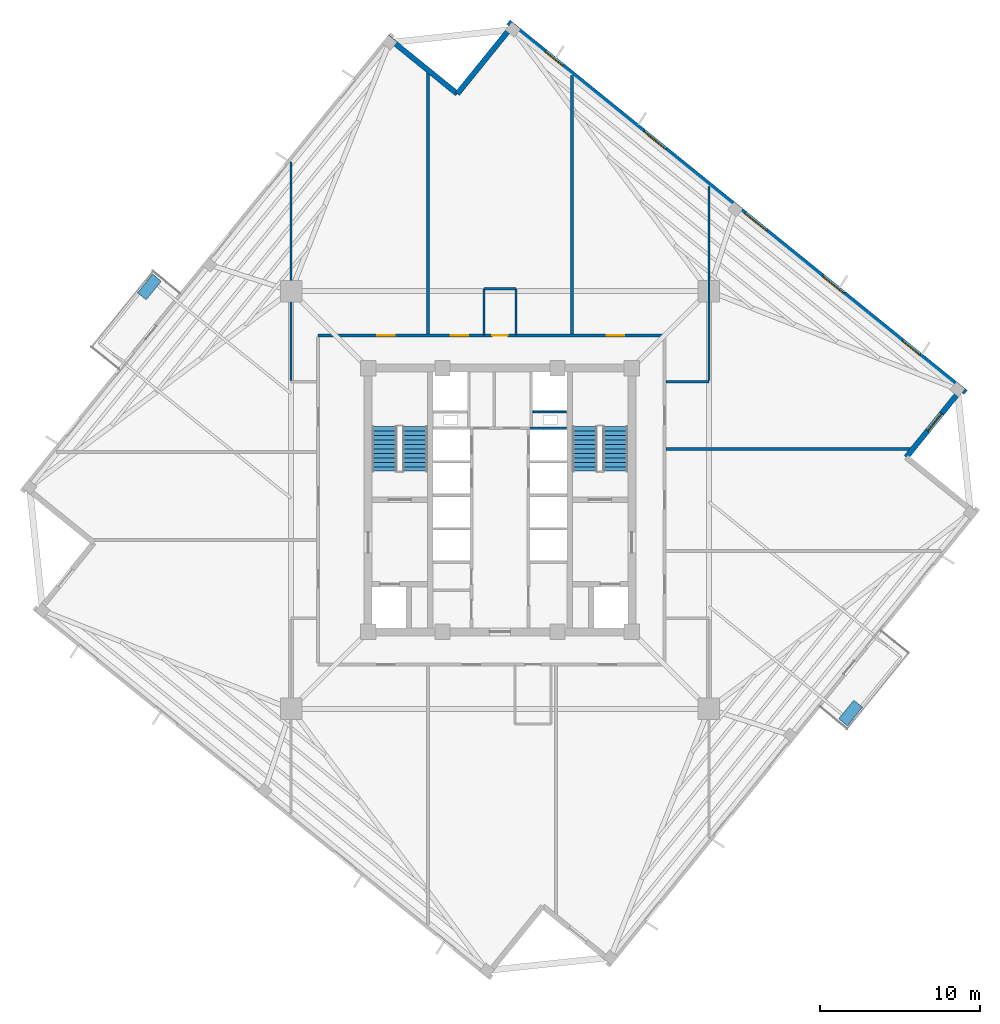
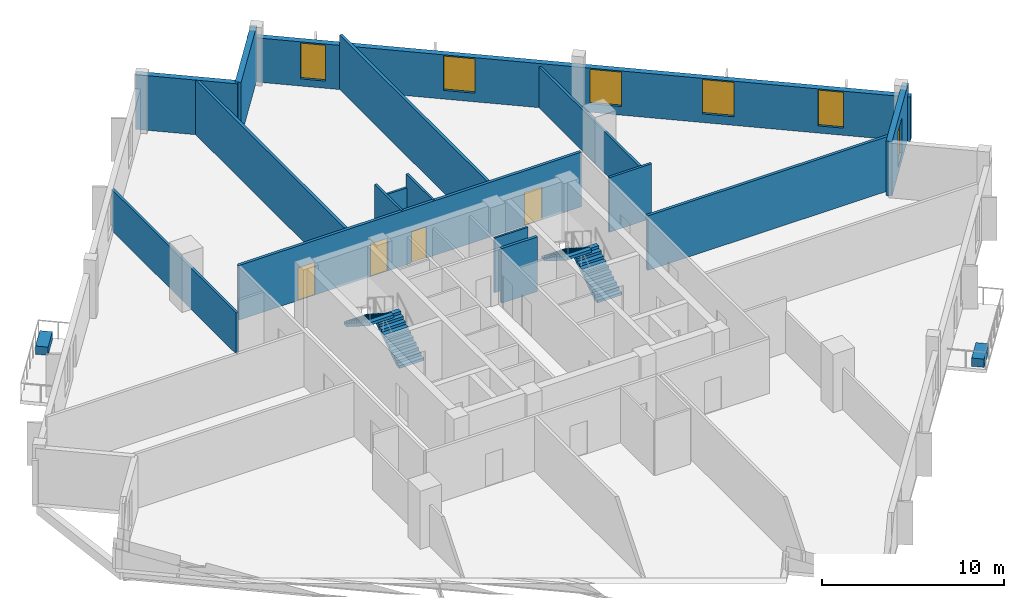
# One storey, part 5 of 9: 16 walls, 6 windows, 4 doors, 4 stair flights, 2 discrete accessories, 10 openings, 2 elements without a shape of their own.
"""IFC4 building model written with IfcOpenShell, lengths in metres."""

from ifc_helpers import new_model, si_unit, direction, frame, frame_2d, origin, origin_2d, place, context, subcontext, project, spatial, polyline, rectangle, outline, extrude, source, transform, mapped, material, layer, layer_set, type_object, element, fill, aggregate, save


model = new_model("IFC4")

# Units and contexts
model_context = context("Model", 3, precision=1e-05, world=origin(), true_north=direction((0.0, 1.0)))
body_context = subcontext(model_context, "Body", "Model", "MODEL_VIEW")
ifc_project = project(units=[si_unit("LENGTHUNIT", "METRE"), si_unit("AREAUNIT", "SQUARE_METRE"), si_unit("VOLUMEUNIT", "CUBIC_METRE"), si_unit("PLANEANGLEUNIT", "RADIAN"), si_unit("MASSUNIT", "GRAM", prefix="KILO"), si_unit("THERMODYNAMICTEMPERATUREUNIT", "KELVIN")], contexts=[model_context])

# Site, building, storey
site_placement = place(None, origin())
site = spatial("IfcSite", under=ifc_project, at=site_placement, CompositionType="ELEMENT")
building_placement = place(site_placement, origin())
building = spatial("IfcBuilding", under=site, at=building_placement, Name="Kosmvard Interchange Tower", CompositionType="ELEMENT")
storey_placement = place(building_placement, frame((0.0, 0.0, 232.89990234375)))
storey = spatial("IfcBuildingStorey", under=building, at=storey_placement, Name="L56", CompositionType="ELEMENT", Elevation=232.89990234375)

# Walls
ifc_material_1 = material(Name="Acoustic gypsum partition system")
ifc_layer_1 = layer(ifc_material_1, 0.14990234375, Name="Acoustic gypsum partition system")
ifc_layer_set_1 = layer_set([ifc_layer_1], Name="Acoustic gypsum partition system")
wall_type_1 = type_object("IfcWallType", Name="Acoustic Suite & Meeting Partition 150", PredefinedType="PARTITIONING", material=ifc_layer_set_1)
wall_1_placement = place(storey_placement, frame((-13.0810546875, 7.47509765625, 0.0), z_axis=(0.0, 0.0, 1.0), x_axis=(0.0, 1.0, 0.0)))
element("IfcWall", 1, at=wall_1_placement, inside=storey, type_object=wall_type_1, Name="L56 Room Partition 10.1", PredefinedType="PARTITIONING", context=body_context, shape_type="SweptSolid", body=[
    extrude(rectangle(XDim=13.67333984375, YDim=0.14990234375, at=frame_2d((6.836669921875, 0.0))), origin(), (0.0, 0.0, 1.0), 2.760009765625),
])
wall_2_placement = place(storey_placement, frame((10.39501953125, 7.39990234375, 0.0), z_axis=(0.0, 0.0, 1.0), x_axis=(1.0, 0.0, 0.0)))
element("IfcWall", 2, at=wall_2_placement, inside=storey, type_object=wall_type_1, Name="L56 Room Partition 11.1", PredefinedType="PARTITIONING", context=body_context, shape_type="SweptSolid", body=[
    extrude(rectangle(XDim=2.68603515625, YDim=0.14990234375, at=frame_2d((1.343017578125, 0.0))), origin(), (0.0, 0.0, 1.0), 3.66015625),
])
wall_3_placement = place(storey_placement, frame((13.0810546875, 7.47509765625, 0.0), z_axis=(0.0, 0.0, 1.0), x_axis=(0.0, 1.0, 0.0)))
element("IfcWall", 3, at=wall_3_placement, inside=storey, type_object=wall_type_1, Name="L56 Room Partition 12.1", PredefinedType="PARTITIONING", context=body_context, shape_type="SweptSolid", body=[
    extrude(rectangle(XDim=12.138916015625, YDim=0.14990234375, at=frame_2d((6.0693359375, 0.0))), origin(), (0.0, 0.0, 1.0), 2.760009765625),
])

# Wall, openings, doors
ifc_material_2 = material(Name="Fire-rated gypsum partition system")
ifc_layer_2 = layer(ifc_material_2, 0.179931640625, Name="Fire-rated gypsum partition system")
ifc_layer_set_2 = layer_set([ifc_layer_2], Name="Fire-rated gypsum partition system")
wall_type_2 = type_object("IfcWallType", Name="Corridor & Hotel Compartment Partition 180", PredefinedType="PARTITIONING", material=ifc_layer_set_2)
wall_4_placement = place(storey_placement, frame((-11.39990234375, 10.300048828125, 0.0), z_axis=(0.0, 0.0, 1.0), x_axis=(1.0, 0.0, 0.0)))
wall_4 = element("IfcWall", 4, at=wall_4_placement, inside=storey, type_object=wall_type_2, Name="L56 Corridor Wall CN", PredefinedType="PARTITIONING", context=body_context, shape_type="SweptSolid", body=[
    extrude(rectangle(XDim=21.699951171875, YDim=0.179931640625, at=frame_2d((10.85009765625, 0.0))), origin(), (0.0, 0.0, 1.0), 3.66015625),
])
opening_1_placement = place(wall_4_placement, frame((10.925048828125, 0.0, 0.0)))
opening_1 = element("IfcOpeningElement", 5, at=opening_1_placement, cuts=wall_4, Name="Opening L56-D01", PredefinedType="OPENING", context=body_context, shape_type="SweptSolid", body=[
    extrude(rectangle(XDim=0.949951171875, YDim=2.10009765625, at=frame_2d((0.47509765625, 1.050048828125))), frame((0.0, 0.10009765625, 0.0), z_axis=(0.0, -1.0, 0.0), x_axis=(1.0, 0.0, 0.0)), (0.0, 0.0, 1.0), 0.199951171875),
])
opening_2_placement = place(wall_4_placement, frame((3.724365234375, 0.0, 0.0)))
opening_2 = element("IfcOpeningElement", 6, at=opening_2_placement, cuts=wall_4, Name="Opening L56-D04", PredefinedType="OPENING", context=body_context, shape_type="SweptSolid", body=[
    extrude(rectangle(XDim=1.10009765625, YDim=2.199951171875, at=frame_2d((0.550048828125, 1.10009765625))), frame((0.0, 0.10009765625, 0.0), z_axis=(0.0, -1.0, 0.0), x_axis=(1.0, 0.0, 0.0)), (0.0, 0.0, 1.0), 0.199951171875),
])
opening_3_placement = place(wall_4_placement, frame((8.325927734375, 0.0, 0.0)))
opening_3 = element("IfcOpeningElement", 7, at=opening_3_placement, cuts=wall_4, Name="Opening L56-D05", PredefinedType="OPENING", context=body_context, shape_type="SweptSolid", body=[
    extrude(rectangle(XDim=1.10009765625, YDim=2.199951171875, at=frame_2d((0.550048828125, 1.10009765625))), frame((0.0, 0.10009765625, 0.0), z_axis=(0.0, -1.0, 0.0), x_axis=(1.0, 0.0, 0.0)), (0.0, 0.0, 1.0), 0.199951171875),
])
opening_4_placement = place(wall_4_placement, frame((18.08544921875, 0.0, 0.0)))
opening_4 = element("IfcOpeningElement", 8, at=opening_4_placement, cuts=wall_4, Name="Opening L56-D06", PredefinedType="OPENING", context=body_context, shape_type="SweptSolid", body=[
    extrude(rectangle(XDim=1.10009765625, YDim=2.199951171875, at=frame_2d((0.550048828125, 1.10009765625))), frame((0.0, 0.10009765625, 0.0), z_axis=(0.0, -1.0, 0.0), x_axis=(1.0, 0.0, 0.0)), (0.0, 0.0, 1.0), 0.199951171875),
])
ifc_material_3 = material(Name="Laminated moisture-resistant timber", Category="wood")
door_type_1 = type_object("IfcDoorType", Name="Accessible Washroom Door 950x2100", OperationType="NOTDEFINED", PredefinedType="DOOR", material=ifc_material_3)
shared_shape_1 = source(origin(), body_context, "Body", "SweptSolid", [
    extrude(rectangle(XDim=0.949951171875, YDim=2.10009765625, at=frame_2d((0.47509765625, 1.050048828125))), frame((0.0, 0.02490234375, 0.0), z_axis=(0.0, -1.0, 0.0), x_axis=(1.0, 0.0, 0.0)), (0.0, 0.0, 1.0), 0.050048828125),
])
door_1_placement = place(opening_1_placement, origin())
door_1 = element("IfcDoor", 9, at=door_1_placement, inside=storey, type_object=door_type_1, Name="L56 Accessible Toilet Door", OperationType="SINGLE_SWING_LEFT", OverallHeight=2.10009765625, OverallWidth=0.949951171875, PredefinedType="DOOR", context=body_context, shape_type="MappedRepresentation", body=[
    mapped(shared_shape_1, transform((0.0, 0.0, 0.0), scale=1.0)),
])
fill(opening_1, door_1)
ifc_material_4 = material(Name="Engineered oak fire-rated timber", Category="wood")
door_type_2 = type_object("IfcDoorType", Name="Office Suite Entrance Door 1100x2200 FD30S", OperationType="NOTDEFINED", PredefinedType="DOOR", material=ifc_material_4)
shared_shape_2 = source(origin(), body_context, "Body", "SweptSolid", [
    extrude(rectangle(XDim=1.10009765625, YDim=2.199951171875, at=frame_2d((0.550048828125, 1.10009765625))), frame((0.0, 0.02490234375, 0.0), z_axis=(0.0, -1.0, 0.0), x_axis=(1.0, 0.0, 0.0)), (0.0, 0.0, 1.0), 0.050048828125),
])
door_2_placement = place(opening_2_placement, origin())
door_2 = element("IfcDoor", 10, at=door_2_placement, inside=storey, type_object=door_type_2, Name="L56 North Horizon Boardroom Door", OperationType="SINGLE_SWING_RIGHT", OverallHeight=2.199951171875, OverallWidth=1.10009765625, PredefinedType="DOOR", context=body_context, shape_type="MappedRepresentation", body=[
    mapped(shared_shape_2, transform((0.0, 0.0, 0.0), scale=1.0)),
])
fill(opening_2, door_2)
door_3_placement = place(opening_3_placement, origin())
door_3 = element("IfcDoor", 11, at=door_3_placement, inside=storey, type_object=door_type_2, Name="L56 North-East Corner Office Door", OperationType="SINGLE_SWING_LEFT", OverallHeight=2.199951171875, OverallWidth=1.10009765625, PredefinedType="DOOR", context=body_context, shape_type="MappedRepresentation", body=[
    mapped(shared_shape_2, transform((0.0, 0.0, 0.0), scale=1.0)),
])
fill(opening_3, door_3)
door_4_placement = place(opening_4_placement, origin())
door_4 = element("IfcDoor", 12, at=door_4_placement, inside=storey, type_object=door_type_2, Name="L56 East Executive Office 3 Door", OperationType="SINGLE_SWING_RIGHT", OverallHeight=2.199951171875, OverallWidth=1.10009765625, PredefinedType="DOOR", context=body_context, shape_type="MappedRepresentation", body=[
    mapped(shared_shape_2, transform((0.0, 0.0, 0.0), scale=1.0)),
])
fill(opening_4, door_4)

# Walls
wall_5_placement = place(storey_placement, frame((-4.5, 10.39501953125, 0.0), z_axis=(0.0, 0.0, 1.0), x_axis=(0.0, 1.0, 0.0)))
element("IfcWall", 13, at=wall_5_placement, inside=storey, type_object=wall_type_2, Name="L56 Room Partition 01.1", PredefinedType="PARTITIONING", context=body_context, shape_type="SweptSolid", body=[
    extrude(rectangle(XDim=16.37841796875, YDim=0.179931640625, at=frame_2d((8.189208984375, 0.0))), origin(), (0.0, 0.0, 1.0), 3.66015625),
])
wall_6_placement = place(storey_placement, frame((4.5, 10.39501953125, 0.0), z_axis=(0.0, 0.0, 1.0), x_axis=(0.0, 1.0, 0.0)))
element("IfcWall", 14, at=wall_6_placement, inside=storey, type_object=wall_type_2, Name="L56 Room Partition 02.1", PredefinedType="PARTITIONING", context=body_context, shape_type="SweptSolid", body=[
    extrude(rectangle(XDim=16.167724609375, YDim=0.179931640625, at=frame_2d((8.083984375, 0.0))), origin(), (0.0, 0.0, 1.0), 3.66015625),
])
wall_7_placement = place(storey_placement, frame((10.39501953125, 3.199951171875, 0.0), z_axis=(0.0, 0.0, 1.0), x_axis=(1.0, 0.0, 0.0)))
element("IfcWall", 15, at=wall_7_placement, inside=storey, type_object=wall_type_2, Name="L56 Room Partition 03.1", PredefinedType="PARTITIONING", context=body_context, shape_type="SweptSolid", body=[
    extrude(rectangle(XDim=15.32568359375, YDim=0.179931640625, at=frame_2d((7.662841796875, 0.0))), origin(), (0.0, 0.0, 1.0), 3.66015625),
])

# Wall, opening, window
ifc_material_5 = material(Name="Precast concrete C45/55", Category="concrete")
ifc_layer_3 = layer(ifc_material_5, 0.340087890625, Name="Precast concrete C45/55")
ifc_layer_set_3 = layer_set([ifc_layer_3], Name="Precast concrete C45/55")
wall_type_3 = type_object("IfcWallType", Name="Mid Tower Precast Pier Wall 340 C45/55", PredefinedType="STANDARD", material=ifc_layer_set_3)
wall_8_placement = place(storey_placement, frame((25.428955078125, 2.672607421875, 0.0), z_axis=(0.0, 0.0, 1.0), x_axis=(0.629299794138, 0.777162640055, 0.0)))
wall_8 = element("IfcWall", 16, at=wall_8_placement, inside=storey, type_object=wall_type_3, Name="L56 Precast Facade Wall N-SE2", PredefinedType="STANDARD", context=body_context, shape_type="SweptSolid", body=[
    extrude(rectangle(XDim=5.669921875, YDim=0.340087890625, at=frame_2d((2.8349609375, 0.0))), origin(), (0.0, 0.0, 1.0), 3.66015625),
])
opening_5_placement = place(wall_8_placement, frame((2.135009765625, 0.0, 0.47998046875)))
opening_5 = element("IfcOpeningElement", 17, at=opening_5_placement, cuts=wall_8, Name="Opening L56-W21", PredefinedType="OPENING", context=body_context, shape_type="SweptSolid", body=[
    extrude(rectangle(XDim=1.39990234375, YDim=2.39990234375, at=frame_2d((0.699951171875, 1.199951171875))), frame((0.0, 0.18017578125, 0.0), z_axis=(0.0, -1.0, 0.0), x_axis=(1.0, 0.0, 0.0)), (0.0, 0.0, 1.0), 0.360107421875),
])
ifc_material_6 = material(Name="Low-E solar-control double glazing", Category="glass")
window_type_1 = type_object("IfcWindowType", Name="Notched Corner Feature Window 1400x2400", PartitioningType="SINGLE_PANEL", PredefinedType="WINDOW", material=ifc_material_6)
shared_shape_3 = source(origin(), body_context, "Body", "SweptSolid", [
    extrude(rectangle(XDim=1.39990234375, YDim=2.39990234375, at=frame_2d((0.699951171875, 1.199951171875))), frame((0.0, 0.030029296875, 0.0), z_axis=(0.0, -1.0, 0.0), x_axis=(1.0, 0.0, 0.0)), (0.0, 0.0, 1.0), 0.06005859375),
])
window_1_placement = place(opening_5_placement, origin())
window_1 = element("IfcWindow", 18, at=window_1_placement, inside=storey, type_object=window_type_1, Name="L56 Corner Notch Window 21", OverallHeight=2.39990234375, OverallWidth=1.39990234375, PartitioningType="SINGLE_PANEL", PredefinedType="WINDOW", context=body_context, shape_type="MappedRepresentation", body=[
    mapped(shared_shape_3, transform((0.0, 0.0, 0.0), scale=1.0)),
])
fill(opening_5, window_1)

# Wall, openings, windows
wall_9_placement = place(storey_placement, frame((29.154296875, 6.73291015625, 0.0), z_axis=(0.0, 0.0, 1.0), x_axis=(-0.77714192302, 0.629325378072, 0.0)))
wall_9 = element("IfcWall", 19, at=wall_9_placement, inside=storey, type_object=wall_type_3, Name="L56 Precast Facade Wall F-E", PredefinedType="STANDARD", context=body_context, shape_type="SweptSolid", body=[
    extrude(rectangle(XDim=36.840087890625, YDim=0.340087890625, at=frame_2d((18.419921875, 0.0))), origin(), (0.0, 0.0, 1.0), 2.960205078125),
])
opening_6_placement = place(wall_9_placement, frame((3.720703125, 0.0, 0.47998046875)))
opening_6 = element("IfcOpeningElement", 20, at=opening_6_placement, cuts=wall_9, Name="Opening L56-W06", PredefinedType="OPENING", context=body_context, shape_type="SweptSolid", body=[
    extrude(rectangle(XDim=1.39990234375, YDim=2.39990234375, at=frame_2d((0.699951171875, 1.199951171875))), frame((0.0, 0.18017578125, 0.0), z_axis=(0.0, -1.0, 0.0), x_axis=(1.0, 0.0, 0.0)), (0.0, 0.0, 1.0), 0.360107421875),
])
opening_7_placement = place(wall_9_placement, frame((9.80859375, 0.0, 0.580078125)))
opening_7 = element("IfcOpeningElement", 21, at=opening_7_placement, cuts=wall_9, Name="Opening L56-W07", PredefinedType="OPENING", context=body_context, shape_type="SweptSolid", body=[
    extrude(rectangle(XDim=1.75, YDim=2.300048828125, at=frame_2d((0.875, 1.14990234375))), frame((0.0, 0.18017578125, 0.0), z_axis=(0.0, -1.0, 0.0), x_axis=(1.0, 0.0, 0.0)), (0.0, 0.0, 1.0), 0.360107421875),
])
opening_8_placement = place(wall_9_placement, frame((16.05810546875, 0.0, 0.580078125)))
opening_8 = element("IfcOpeningElement", 22, at=opening_8_placement, cuts=wall_9, Name="Opening L56-W08", PredefinedType="OPENING", context=body_context, shape_type="SweptSolid", body=[
    extrude(rectangle(XDim=1.75, YDim=2.300048828125, at=frame_2d((0.875, 1.14990234375))), frame((0.0, 0.18017578125, 0.0), z_axis=(0.0, -1.0, 0.0), x_axis=(1.0, 0.0, 0.0)), (0.0, 0.0, 1.0), 0.360107421875),
])
opening_9_placement = place(wall_9_placement, frame((24.17626953125, 0.0, 0.580078125)))
opening_9 = element("IfcOpeningElement", 23, at=opening_9_placement, cuts=wall_9, Name="Opening L56-W09", PredefinedType="OPENING", context=body_context, shape_type="SweptSolid", body=[
    extrude(rectangle(XDim=1.75, YDim=2.300048828125, at=frame_2d((0.875, 1.14990234375))), frame((0.0, 0.18017578125, 0.0), z_axis=(0.0, -1.0, 0.0), x_axis=(1.0, 0.0, 0.0)), (0.0, 0.0, 1.0), 0.360107421875),
])
opening_10_placement = place(wall_9_placement, frame((32.482421875, 0.0, 0.47998046875)))
opening_10 = element("IfcOpeningElement", 24, at=opening_10_placement, cuts=wall_9, Name="Opening L56-W10", PredefinedType="OPENING", context=body_context, shape_type="SweptSolid", body=[
    extrude(rectangle(XDim=1.39990234375, YDim=2.39990234375, at=frame_2d((0.699951171875, 1.199951171875))), frame((0.0, 0.18017578125, 0.0), z_axis=(0.0, -1.0, 0.0), x_axis=(1.0, 0.0, 0.0)), (0.0, 0.0, 1.0), 0.360107421875),
])
window_2_placement = place(opening_6_placement, origin())
window_2 = element("IfcWindow", 25, at=window_2_placement, inside=storey, type_object=window_type_1, Name="L56 Facade Punched Window 06", OverallHeight=2.39990234375, OverallWidth=1.39990234375, PartitioningType="SINGLE_PANEL", PredefinedType="WINDOW", context=body_context, shape_type="MappedRepresentation", body=[
    mapped(shared_shape_3, transform((0.0, 0.0, 0.0), scale=1.0)),
])
fill(opening_6, window_2)
window_3_placement = place(opening_10_placement, origin())
window_3 = element("IfcWindow", 26, at=window_3_placement, inside=storey, type_object=window_type_1, Name="L56 Facade Punched Window 10", OverallHeight=2.39990234375, OverallWidth=1.39990234375, PartitioningType="SINGLE_PANEL", PredefinedType="WINDOW", context=body_context, shape_type="MappedRepresentation", body=[
    mapped(shared_shape_3, transform((0.0, 0.0, 0.0), scale=1.0)),
])
fill(opening_10, window_3)
window_type_2 = type_object("IfcWindowType", Name="Zone 4 Suite Punched Window 1750x2300", PartitioningType="SINGLE_PANEL", PredefinedType="WINDOW", material=ifc_material_6)
shared_shape_4 = source(origin(), body_context, "Body", "SweptSolid", [
    extrude(rectangle(XDim=1.75, YDim=2.300048828125, at=frame_2d((0.875, 1.14990234375))), frame((0.0, 0.030029296875, 0.0), z_axis=(0.0, -1.0, 0.0), x_axis=(1.0, 0.0, 0.0)), (0.0, 0.0, 1.0), 0.06005859375),
])
window_4_placement = place(opening_7_placement, origin())
window_4 = element("IfcWindow", 27, at=window_4_placement, inside=storey, type_object=window_type_2, Name="L56 Facade Punched Window 07", OverallHeight=2.300048828125, OverallWidth=1.75, PartitioningType="SINGLE_PANEL", PredefinedType="WINDOW", context=body_context, shape_type="MappedRepresentation", body=[
    mapped(shared_shape_4, transform((0.0, 0.0, 0.0), scale=1.0)),
])
fill(opening_7, window_4)
window_5_placement = place(opening_8_placement, origin())
window_5 = element("IfcWindow", 28, at=window_5_placement, inside=storey, type_object=window_type_2, Name="L56 Facade Punched Window 08", OverallHeight=2.300048828125, OverallWidth=1.75, PartitioningType="SINGLE_PANEL", PredefinedType="WINDOW", context=body_context, shape_type="MappedRepresentation", body=[
    mapped(shared_shape_4, transform((0.0, 0.0, 0.0), scale=1.0)),
])
fill(opening_8, window_5)
window_6_placement = place(opening_9_placement, origin())
window_6 = element("IfcWindow", 29, at=window_6_placement, inside=storey, type_object=window_type_2, Name="L56 Facade Punched Window 09", OverallHeight=2.300048828125, OverallWidth=1.75, PartitioningType="SINGLE_PANEL", PredefinedType="WINDOW", context=body_context, shape_type="MappedRepresentation", body=[
    mapped(shared_shape_4, transform((0.0, 0.0, 0.0), scale=1.0)),
])
fill(opening_9, window_6)

# Walls
wall_10_placement = place(storey_placement, frame((0.78857421875, 29.703125, 0.0), z_axis=(0.0, 0.0, 1.0), x_axis=(-0.629323365087, -0.77714355312, 0.0)))
element("IfcWall", 30, at=wall_10_placement, inside=storey, type_object=wall_type_3, Name="L56 Precast Facade Wall N-NE1", PredefinedType="STANDARD", context=body_context, shape_type="SweptSolid", body=[
    extrude(rectangle(XDim=5.499755859375, YDim=0.340087890625, at=frame_2d((2.75, 0.0))), origin(), (0.0, 0.0, 1.0), 3.66015625),
])
wall_11_placement = place(storey_placement, frame((-2.672607421875, 25.428955078125, 0.0), z_axis=(0.0, 0.0, 1.0), x_axis=(-0.777162640055, 0.629299794138, 0.0)))
element("IfcWall", 31, at=wall_11_placement, inside=storey, type_object=wall_type_3, Name="L56 Precast Facade Wall N-NE2", PredefinedType="STANDARD", context=body_context, shape_type="SweptSolid", body=[
    extrude(rectangle(XDim=5.669921875, YDim=0.340087890625, at=frame_2d((2.8349609375, 0.0))), origin(), (0.0, 0.0, 1.0), 3.66015625),
])
ifc_material_7 = material(Name="Concrete blockwork masonry", Category="masonry")
ifc_layer_4 = layer(ifc_material_7, 0.179931640625, Name="Concrete blockwork masonry")
ifc_layer_set_4 = layer_set([ifc_layer_4], Name="Concrete blockwork masonry")
wall_type_4 = type_object("IfcWallType", Name="Riser & Lift Bank Divider Wall 180", PredefinedType="PARTITIONING", material=ifc_layer_set_4)
wall_12_placement = place(storey_placement, frame((1.889892578125, 4.489990234375, 0.0), z_axis=(0.0, 0.0, 1.0), x_axis=(1.0, 0.0, 0.0)))
element("IfcWall", 32, at=wall_12_placement, inside=storey, type_object=wall_type_4, Name="L56 East Bank Divider BD3", PredefinedType="PARTITIONING", context=body_context, shape_type="SweptSolid", body=[
    extrude(rectangle(XDim=2.280029296875, YDim=0.179931640625, at=frame_2d((1.14013671875, 0.0))), origin(), (0.0, 0.0, 1.0), 3.66015625),
])
ifc_material_8 = material(Name="Fire-rated gypsum shaftwall system")
ifc_layer_5 = layer(ifc_material_8, 0.1201171875, Name="Fire-rated gypsum shaftwall system")
ifc_layer_set_5 = layer_set([ifc_layer_5], Name="Fire-rated gypsum shaftwall system")
wall_type_5 = type_object("IfcWallType", Name="Shaft & Riser Fire Partition 120 EI60", PredefinedType="PARTITIONING", material=ifc_layer_set_5)
wall_13_placement = place(storey_placement, frame((2.06005859375, 5.52001953125, 0.0), z_axis=(0.0, 0.0, 1.0), x_axis=(1.0, 0.0, 0.0)))
element("IfcWall", 33, at=wall_13_placement, inside=storey, type_object=wall_type_5, Name="L56 Riser Shaft Divider E", PredefinedType="PARTITIONING", context=body_context, shape_type="SweptSolid", body=[
    extrude(rectangle(XDim=2.099853515625, YDim=0.1201171875, at=frame_2d((1.0498046875, 0.0))), origin(), (0.0, 0.0, 1.0), 3.66015625),
])
ifc_material_9 = material(Name="Moisture-resistant gypsum partition")
ifc_layer_6 = layer(ifc_material_9, 0.135009765625, Name="Moisture-resistant gypsum partition")
ifc_layer_set_6 = layer_set([ifc_layer_6], Name="Moisture-resistant gypsum partition")
wall_type_6 = type_object("IfcWallType", Name="Wet Room Moisture-Resistant Partition 135", PredefinedType="PARTITIONING", material=ifc_layer_set_6)
wall_14_placement = place(storey_placement, frame((1.0, 10.320068359375, 0.0), z_axis=(0.0, 0.0, 1.0), x_axis=(0.0, 1.0, 0.0)))
element("IfcWall", 34, at=wall_14_placement, inside=storey, type_object=wall_type_6, Name="L56 Washroom Partition AWC1-E", PredefinedType="PARTITIONING", context=body_context, shape_type="SweptSolid", body=[
    extrude(rectangle(XDim=2.89990234375, YDim=0.135009765625, at=frame_2d((1.449951171875, 0.0))), origin(), (0.0, 0.0, 1.0), 3.66015625),
])
wall_15_placement = place(storey_placement, frame((-1.0, 13.219970703125, 0.0), z_axis=(0.0, 0.0, 1.0), x_axis=(1.0, 0.0, 0.0)))
element("IfcWall", 35, at=wall_15_placement, inside=storey, type_object=wall_type_6, Name="L56 Washroom Partition AWC1-N", PredefinedType="PARTITIONING", context=body_context, shape_type="SweptSolid", body=[
    extrude(rectangle(XDim=2.0, YDim=0.135009765625, at=frame_2d((1.0, 0.0))), origin(), (0.0, 0.0, 1.0), 2.760009765625),
])
wall_16_placement = place(storey_placement, frame((-1.0, 10.320068359375, 0.0), z_axis=(0.0, 0.0, 1.0), x_axis=(0.0, 1.0, 0.0)))
element("IfcWall", 36, at=wall_16_placement, inside=storey, type_object=wall_type_6, Name="L56 Washroom Partition AWC1-W", PredefinedType="PARTITIONING", context=body_context, shape_type="SweptSolid", body=[
    extrude(rectangle(XDim=2.89990234375, YDim=0.135009765625, at=frame_2d((1.449951171875, 0.0))), origin(), (0.0, 0.0, 1.0), 3.66015625),
])

# Stair, stair flights
ifc_material_10 = material(Name="Concrete C50/60", Category="concrete")
stair_type = type_object("IfcStairType", Name="Dog-Leg Core Exit Stair H3900 C50/60", PredefinedType="HALF_TURN_STAIR", material=ifc_material_10)
stair_1_placement = place(storey_placement, origin())
stair_1 = element("IfcStair", 37, at=stair_1_placement, inside=storey, type_object=stair_type, Name="L56 Protected Exit Stair ST-1", PredefinedType="HALF_TURN_STAIR")
stair_flight_type = type_object("IfcStairFlightType", Name="Core Stair Flight W1550 H3900 C50/60", PredefinedType="STRAIGHT", material=ifc_material_10)
shared_shape_5 = source(origin(), body_context, "Body", "SweptSolid", [
    extrude(outline(polyline([(0.0, 0.0), (0.0, 0.17724609375), (0.280029296875, 0.17724609375), (0.280029296875, 0.3544921875), (0.56005859375, 0.3544921875), (0.56005859375, 0.53173828125), (0.840087890625, 0.53173828125), (0.840087890625, 0.708984375), (1.1201171875, 0.708984375), (1.1201171875, 0.886474609375), (1.39990234375, 0.886474609375), (1.39990234375, 1.063720703125), (1.679931640625, 1.063720703125), (1.679931640625, 1.240966796875), (1.9599609375, 1.240966796875), (1.9599609375, 1.418212890625), (2.239990234375, 1.418212890625), (2.239990234375, 1.595458984375), (2.52001953125, 1.595458984375), (2.52001953125, 1.772705078125), (2.800048828125, 1.772705078125), (2.800048828125, 1.949951171875), (2.800048828125, 1.58349609375), (0.298828125, 0.0), (0.0, 0.0)])), frame((0.0, 0.77490234375, 0.0), z_axis=(0.0, -1.0, 0.0), x_axis=(1.0, 0.0, 0.0)), (0.0, 0.0, 1.0), 1.550048828125),
])
stair_flight_1_placement = place(storey_placement, frame((-5.31494140625, 1.800048828125, 0.0), z_axis=(0.0, 0.0, 1.0), x_axis=(0.0, 1.0, 0.0)))
stair_flight_1 = element("IfcStairFlight", 38, at=stair_flight_1_placement, type_object=stair_flight_type, Name="ST-1 flight 1", NumberOfRisers=11, NumberOfTreads=10, PredefinedType="STRAIGHT", RiserHeight=0.177272727, TreadLength=0.28, context=body_context, shape_type="MappedRepresentation", body=[
    mapped(shared_shape_5, transform((0.0, 0.0, 0.0), scale=1.0)),
])
stair_flight_2_placement = place(storey_placement, frame((-7.22509765625, 4.60009765625, 1.9501953125), z_axis=(0.0, 0.0, 1.0), x_axis=(0.0, -1.0, 0.0)))
stair_flight_2 = element("IfcStairFlight", 39, at=stair_flight_2_placement, type_object=stair_flight_type, Name="ST-1 flight 2", NumberOfRisers=11, NumberOfTreads=10, PredefinedType="STRAIGHT", RiserHeight=0.177272727, TreadLength=0.28, context=body_context, shape_type="MappedRepresentation", body=[
    mapped(shared_shape_5, transform((0.0, 0.0, 0.0), scale=1.0)),
])
aggregate(stair_1, [stair_flight_1, stair_flight_2])

stair_2_placement = place(storey_placement, origin())
stair_2 = element("IfcStair", 40, at=stair_2_placement, inside=storey, type_object=stair_type, Name="L56 Protected Exit Stair ST-2", PredefinedType="HALF_TURN_STAIR")
stair_flight_3_placement = place(storey_placement, frame((7.22509765625, 1.800048828125, 0.0), z_axis=(0.0, 0.0, 1.0), x_axis=(0.0, 1.0, 0.0)))
stair_flight_3 = element("IfcStairFlight", 41, at=stair_flight_3_placement, type_object=stair_flight_type, Name="ST-2 flight 1", NumberOfRisers=11, NumberOfTreads=10, PredefinedType="STRAIGHT", RiserHeight=0.177272727, TreadLength=0.28, context=body_context, shape_type="MappedRepresentation", body=[
    mapped(shared_shape_5, transform((0.0, 0.0, 0.0), scale=1.0)),
])
stair_flight_4_placement = place(storey_placement, frame((5.31494140625, 4.60009765625, 1.9501953125), z_axis=(0.0, 0.0, 1.0), x_axis=(0.0, -1.0, 0.0)))
stair_flight_4 = element("IfcStairFlight", 42, at=stair_flight_4_placement, type_object=stair_flight_type, Name="ST-2 flight 2", NumberOfRisers=11, NumberOfTreads=10, PredefinedType="STRAIGHT", RiserHeight=0.177272727, TreadLength=0.28, context=body_context, shape_type="MappedRepresentation", body=[
    mapped(shared_shape_5, transform((0.0, 0.0, 0.0), scale=1.0)),
])
aggregate(stair_2, [stair_flight_3, stair_flight_4])

# Discrete accessories
ifc_material_11 = material(Name="Terracotta precast planter concrete C45/55", Category="masonry")
discrete_accessory_type = type_object("IfcDiscreteAccessoryType", Name="Precast Tree-Balcony & Terrace Planter Box", PredefinedType="USERDEFINED", material=ifc_material_11)
shared_shape_6 = source(origin(), body_context, "Body", "SweptSolid", [
    extrude(rectangle(XDim=1.5, YDim=0.699951171875, at=origin_2d()), origin(), (0.0, 0.0, 1.0), 0.550048828125),
])
for number, where, z_axis, x_axis, name in (
    (43, (21.949462890625, -13.3349609375, 0.0), (0.0, 0.0, 1.0), (0.62932039105, 0.777145961457, 0.0), "L56 Balcony Tree Planter BAL-L56-SW"),
    (44, (-21.949462890625, 13.3349609375, 0.0), (0.0, 0.0, 1.0), (0.62932039105, 0.777145961457, 0.0), "L56 Balcony Tree Planter BAL-L56-NE"),
):
    element("IfcDiscreteAccessory", number, at=place(storey_placement, frame(where, z_axis=z_axis, x_axis=x_axis)), inside=storey, type_object=discrete_accessory_type, Name=name, ObjectType="PLANTER", PredefinedType="USERDEFINED", context=body_context, shape_type="MappedRepresentation", body=[
        mapped(shared_shape_6, transform((0.0, 0.0, 0.0), scale=1.0)),
    ])

save(model, "model.ifc")
